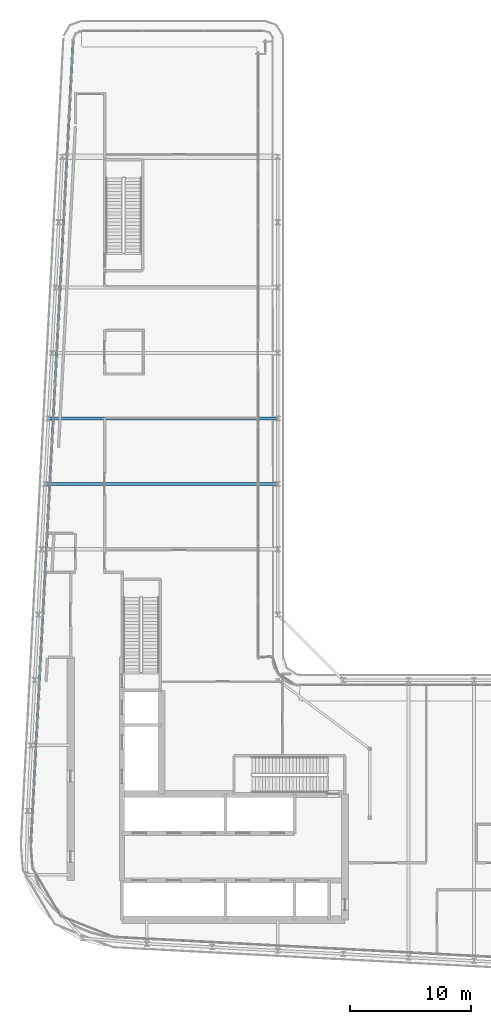
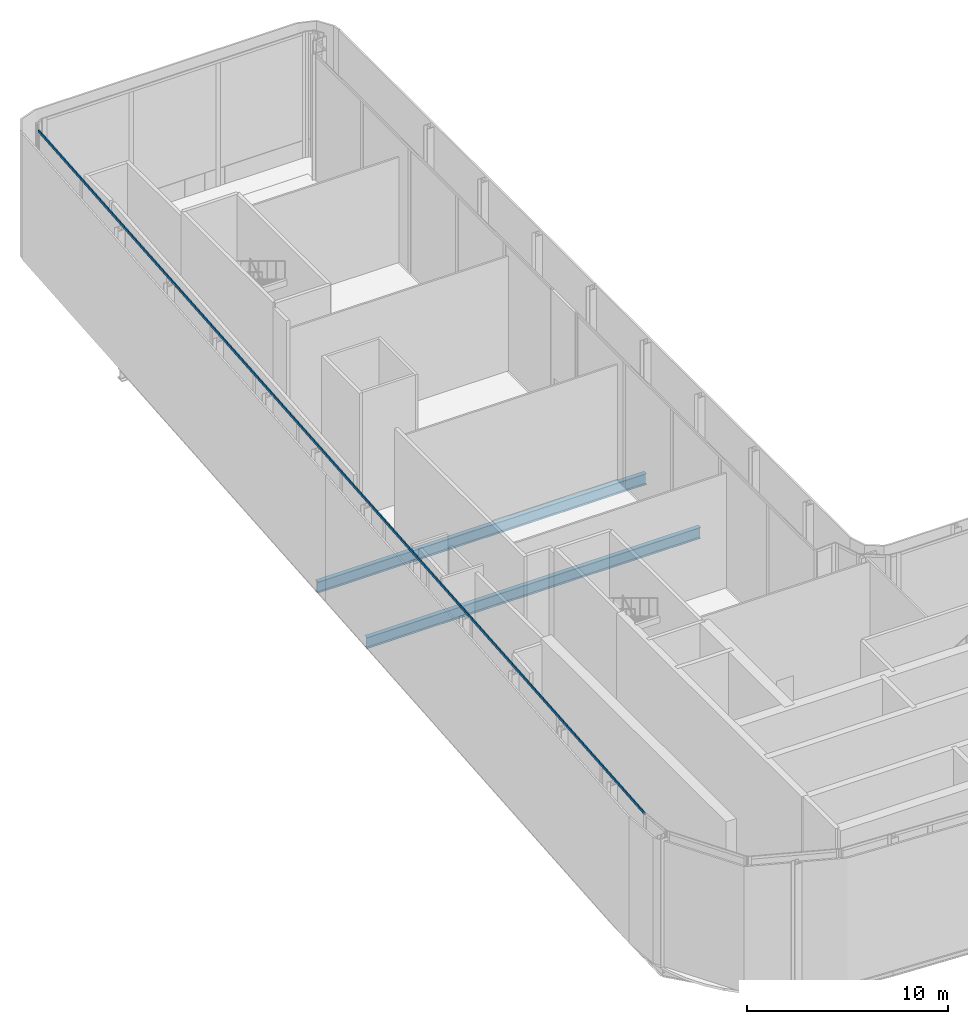
# One storey, part 10 of 27: 2 beams, 1 member, 1 element without a shape of its own.
"""IFC4 building model written with IfcOpenShell, lengths in metres."""

from ifc_helpers import new_model, si_unit, direction, frame, origin, origin_2d, place, context, subcontext, project, spatial, rectangle, i_section, extrude, material, layer, layer_set, material_profile, profile_set, type_object, element, aggregate, save


model = new_model("IFC4")

# Units and contexts
model_context = context("Model", 3, precision=1e-05, world=origin(), true_north=direction((0.0, 1.0)))
body_context = subcontext(model_context, "Body", "Model", "MODEL_VIEW")
ifc_project = project(units=[si_unit("LENGTHUNIT", "METRE"), si_unit("AREAUNIT", "SQUARE_METRE"), si_unit("VOLUMEUNIT", "CUBIC_METRE"), si_unit("PLANEANGLEUNIT", "RADIAN"), si_unit("MASSUNIT", "GRAM", prefix="KILO")], contexts=[model_context])

# Site, building, storey
site_placement = place(None, origin())
site = spatial("IfcSite", under=ifc_project, at=site_placement, CompositionType="ELEMENT")
building_placement = place(site_placement, origin())
building = spatial("IfcBuilding", under=site, at=building_placement, Name="Kheshtan School and Residences Tower", CompositionType="ELEMENT")
storey_placement = place(building_placement, frame((0.0, 0.0, 266.89990234375)))
storey = spatial("IfcBuildingStorey", under=building, at=storey_placement, Name="L63", CompositionType="ELEMENT", Elevation=266.89990234375)

# Beams
ifc_material_1 = material(Name="Steel ASTM A992 Grade 50", Category="steel")
ifc_material_profile_1 = material_profile(ifc_material_1, i_section(OverallWidth=0.2529296875, OverallDepth=0.677978515625, WebThickness=0.01171875, FlangeThickness=0.016357421875, FilletRadius=0.0146484375, at=origin_2d()), Name="W690x125")
ifc_profile_set_1 = profile_set([ifc_material_profile_1], Name="Steel ASTM A992 Grade 50")
beam_type = type_object("IfcBeamType", Name="Beam FB6 W690x125 ASTM A992 Grade 50", PredefinedType="BEAM", material=ifc_profile_set_1)
beam_1_placement = place(storey_placement, frame((47.60009765625, 67.199951171875, -0.489013671875), z_axis=(-1.0, 0.0, 0.0), x_axis=(0.0, -1.0, 0.0)))
element("IfcBeam", 1, at=beam_1_placement, inside=storey, type_object=beam_type, Name="Floor beam C085", PredefinedType="BEAM", context=body_context, shape_type="SweptSolid", body=[
    extrude(i_section(OverallWidth=0.2529296875, OverallDepth=0.677978515625, WebThickness=0.01171875, FlangeThickness=0.016357421875, FilletRadius=0.0146484375, at=origin_2d()), origin(), (0.0, 0.0, 1.0), 18.926025390625),
])
beam_2_placement = place(storey_placement, frame((28.389892578125, 61.800048828125, -0.489013671875), z_axis=(1.0, 0.0, 0.0), x_axis=(0.0, 1.0, 0.0)))
element("IfcBeam", 2, at=beam_2_placement, inside=storey, type_object=beam_type, Name="Floor beam C082", PredefinedType="BEAM", context=body_context, shape_type="SweptSolid", body=[
    extrude(i_section(OverallWidth=0.2529296875, OverallDepth=0.677978515625, WebThickness=0.01171875, FlangeThickness=0.016357421875, FilletRadius=0.0146484375, at=origin_2d()), origin(), (0.0, 0.0, 1.0), 19.210205078125),
])

# Curtain wall, member
ifc_material_2 = material(Name="Clear low-e glass in thermally broken aluminium frame", Category="aluminium")
ifc_layer = layer(ifc_material_2, 0.25)
ifc_layer_set = layer_set([ifc_layer], Name="Curtain wall CW-K")
curtain_wall_type = type_object("IfcCurtainWallType", Name="Curtain wall CW-K", PredefinedType="NOTDEFINED", material=ifc_layer_set)
curtain_wall_placement = place(storey_placement, origin())
curtain_wall = element("IfcCurtainWall", 3, at=curtain_wall_placement, inside=storey, type_object=curtain_wall_type, Name="Curtain wall CWK10a", PredefinedType="NOTDEFINED")
ifc_material_3 = material(Name="Thermally broken aluminium, dark bronze anodised", Category="aluminium")
ifc_material_profile_2 = material_profile(ifc_material_3, rectangle(XDim=0.06005859375, YDim=0.159912109375, at=origin_2d()), Name="CW-K transom 60x160")
ifc_profile_set_2 = profile_set([ifc_material_profile_2], Name="Thermally broken aluminium, dark bronze anodised")
member_type = type_object("IfcMemberType", Name="CW-K transom 60x160", PredefinedType="USERDEFINED", material=ifc_profile_set_2)
member_placement = place(storey_placement, frame((27.219482421875, 31.963623046875, 7.570068359375), z_axis=(0.052565184819, 0.998617495012, 0.0), x_axis=(-0.998617495012, 0.052565184819, 0.0)))
member = element("IfcMember", 4, at=member_placement, type_object=member_type, Name="CWK10a transom 1", ObjectType="TRANSOM", PredefinedType="USERDEFINED", context=body_context, shape_type="SweptSolid", body=[
    extrude(rectangle(XDim=0.06005859375, YDim=0.159912109375, at=origin_2d()), origin(), (0.0, 0.0, 1.0), 66.57470703125),
])
aggregate(curtain_wall, [member])

save(model, "model.ifc")
